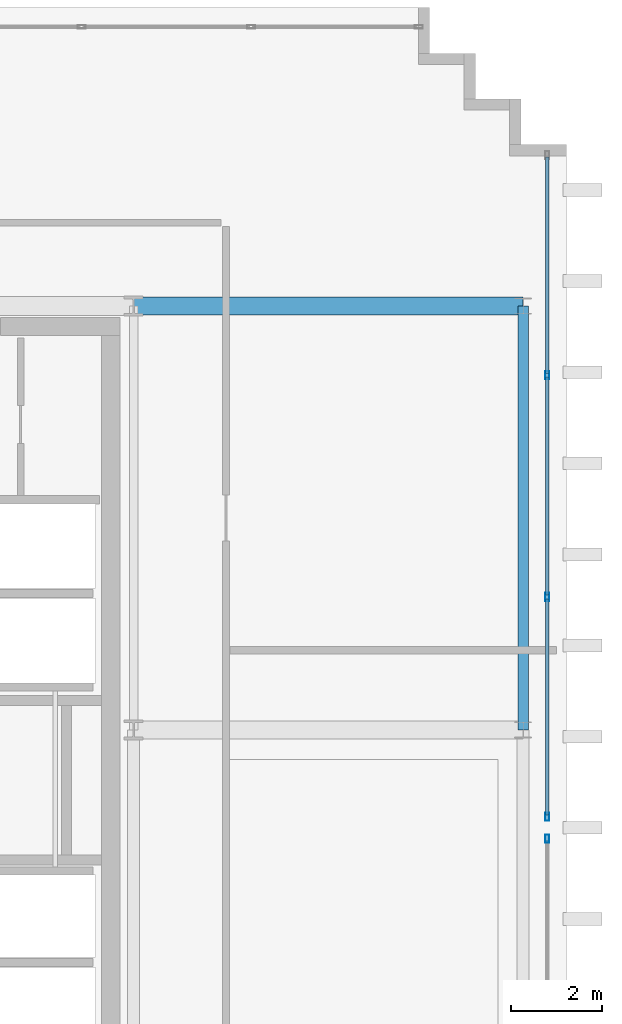
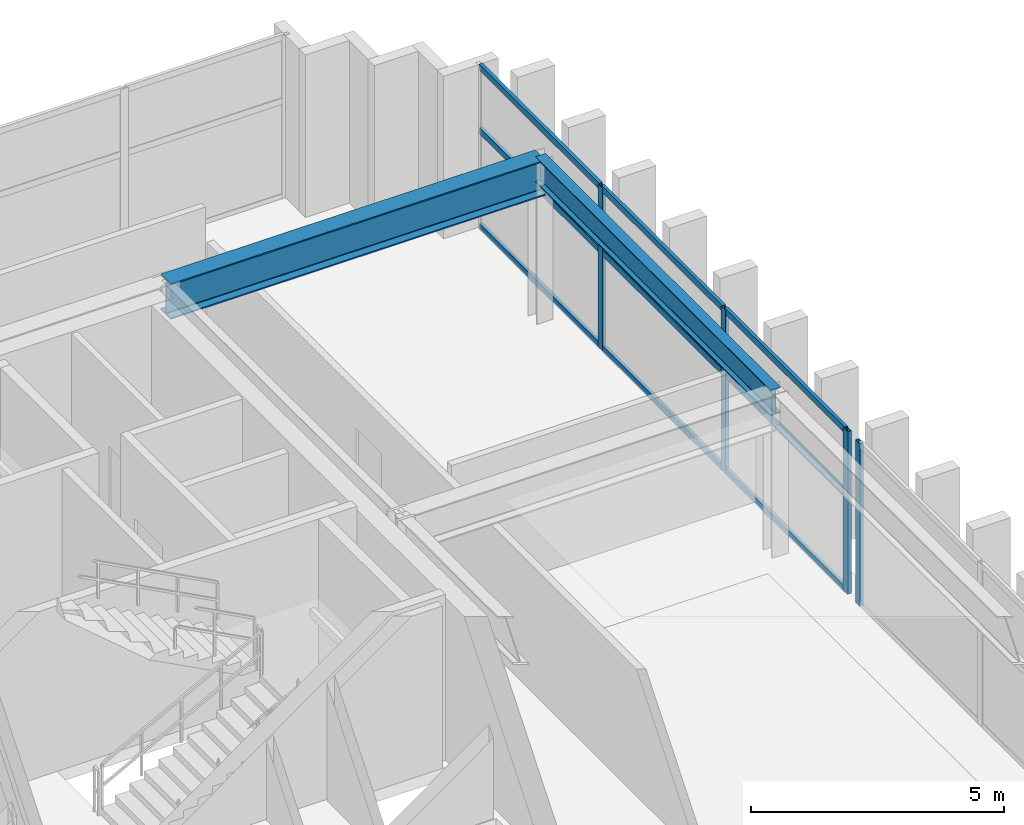
# One storey, part 7 of 14: 13 members, 2 beams, 2 elements without a shape of their own.
"""IFC4 building model written with IfcOpenShell, lengths in metres."""

from ifc_helpers import new_model, si_unit, direction, frame, origin, origin_2d, place, context, subcontext, project, spatial, hollow_rectangle, i_section, extrude, source, transform, mapped, material, layer, layer_set, material_profile, profile_set, type_object, element, aggregate, save


model = new_model("IFC4")

# Units and contexts
model_context = context("Model", 3, precision=1e-05, world=origin(), true_north=direction((0.0, 1.0)))
body_context = subcontext(model_context, "Body", "Model", "MODEL_VIEW")
ifc_project = project(units=[si_unit("LENGTHUNIT", "METRE"), si_unit("AREAUNIT", "SQUARE_METRE"), si_unit("VOLUMEUNIT", "CUBIC_METRE"), si_unit("PLANEANGLEUNIT", "RADIAN"), si_unit("MASSUNIT", "GRAM", prefix="KILO")], contexts=[model_context])

# Site, building, storey
site_placement = place(None, origin())
site = spatial("IfcSite", under=ifc_project, at=site_placement, CompositionType="ELEMENT")
building_placement = place(site_placement, origin())
building = spatial("IfcBuilding", under=site, at=building_placement, Name="Ocotamira Hotel", CompositionType="ELEMENT")
storey_placement = place(building_placement, frame((0.0, 0.0, 301.199951171875)))
storey = spatial("IfcBuildingStorey", under=building, at=storey_placement, Name="L77", CompositionType="ELEMENT", Elevation=301.199951171875)

# Beams
ifc_material_1 = material(Name="Steel ASTM A992 Grade 50", Category="steel")
ifc_material_profile_1 = material_profile(ifc_material_1, i_section(OverallWidth=0.22998046875, OverallDepth=0.616943359375, WebThickness=0.01318359375, FlangeThickness=0.022216796875, FilletRadius=0.012939453125, at=origin_2d()), Name="W24X94")
ifc_profile_set_1 = profile_set([ifc_material_profile_1], Name="Steel ASTM A992 Grade 50")
beam_type_1 = type_object("IfcBeamType", Name="BM-PRIM-W24X94", PredefinedType="BEAM", material=ifc_profile_set_1)
shared_shape_1 = source(origin(), body_context, "Body", "SweptSolid", [
    extrude(i_section(OverallWidth=0.22998046875, OverallDepth=0.616943359375, WebThickness=0.01318359375, FlangeThickness=0.022216796875, FilletRadius=0.012939453125, at=origin_2d()), origin(), (0.0, 0.0, 1.0), 9.300048828125),
])
beam_1_placement = place(storey_placement, frame((32.050048828125, 28.14990234375, 3.611572265625), z_axis=(0.0, 1.0, 0.0), x_axis=(-1.0, 0.0, 0.0)))
element("IfcBeam", 1, at=beam_1_placement, inside=storey, type_object=beam_type_1, Name="L77 Beam X32.05 Y28.15-37.45", PredefinedType="BEAM", context=body_context, shape_type="MappedRepresentation", body=[
    mapped(shared_shape_1, transform((0.0, 0.0, 0.0), scale=1.0)),
])
ifc_material_profile_2 = material_profile(ifc_material_1, i_section(OverallWidth=0.39990234375, OverallDepth=0.85595703125, WebThickness=0.018310546875, FlangeThickness=0.029296875, FilletRadius=0.02001953125, at=origin_2d()), Name="W33X201")
ifc_profile_set_2 = profile_set([ifc_material_profile_2], Name="Steel ASTM A992 Grade 50")
beam_type_2 = type_object("IfcBeamType", Name="BM-GIRD-W33X201", PredefinedType="BEAM", material=ifc_profile_set_2)
shared_shape_2 = source(origin(), body_context, "Body", "SweptSolid", [
    extrude(i_section(OverallWidth=0.39990234375, OverallDepth=0.85595703125, WebThickness=0.018310546875, FlangeThickness=0.029296875, FilletRadius=0.02001953125, at=origin_2d()), origin(), (0.0, 0.0, 1.0), 8.550048828125),
])
beam_2_placement = place(storey_placement, frame((23.5, 37.449951171875, 3.491943359375), z_axis=(1.0, 0.0, 0.0), x_axis=(0.0, 1.0, 0.0)))
element("IfcBeam", 2, at=beam_2_placement, inside=storey, type_object=beam_type_2, Name="L77 Girder Y37.45 X23.5-32.05", PredefinedType="BEAM", context=body_context, shape_type="MappedRepresentation", body=[
    mapped(shared_shape_2, transform((0.0, 0.0, 0.0), scale=1.0)),
])

# Curtain wall, members
ifc_material_2 = material(Name="Anodised pale-metal aluminium and solar glass", Category="aluminium")
ifc_layer = layer(ifc_material_2, 0.2099609375)
ifc_layer_set = layer_set([ifc_layer], Name="Anodised pale-metal aluminium and solar glass")
curtain_wall_type = type_object("IfcCurtainWallType", Name="CW-SYS7-PEAK", PredefinedType="NOTDEFINED", material=ifc_layer_set)
curtain_wall_1_placement = place(storey_placement, origin())
curtain_wall_1 = element("IfcCurtainWall", 3, at=curtain_wall_1_placement, inside=storey, type_object=curtain_wall_type, Name="L77 Curtain Wall CW-7 CW-L77-E2", PredefinedType="NOTDEFINED")
ifc_material_3 = material(Name="Anodised pale-metal aluminium 6063-T6", Category="aluminium")
ifc_material_profile_3 = material_profile(ifc_material_3, hollow_rectangle(XDim=0.074951171875, YDim=0.14990234375, WallThickness=0.006103515625, at=origin_2d()), Name="HSS150X75X6")
ifc_profile_set_3 = profile_set([ifc_material_profile_3], Name="Anodised pale-metal aluminium 6063-T6")
member_type_1 = type_object("IfcMemberType", Name="CWT-150X75", PredefinedType="USERDEFINED", material=ifc_profile_set_3)
shared_shape_3 = source(origin(), body_context, "Body", "SweptSolid", [
    extrude(hollow_rectangle(XDim=0.074951171875, YDim=0.14990234375, WallThickness=0.006103515625, at=origin_2d()), origin(), (0.0, 0.0, 1.0), 4.74658203125),
])
member_1_placement = place(storey_placement, frame((32.580078125, 26.280029296875, 0.03759765625), z_axis=(0.0, 1.0, 0.0), x_axis=(-1.0, 0.0, 0.0)))
member_1 = element("IfcMember", 4, at=member_1_placement, type_object=member_type_1, Name="CW-7 transom 1.1", ObjectType="TRANSOM", PredefinedType="USERDEFINED", context=body_context, shape_type="MappedRepresentation", body=[
    mapped(shared_shape_3, transform((0.0, 0.0, 0.0), scale=1.0)),
])
member_2_placement = place(storey_placement, frame((32.580078125, 26.280029296875, 2.35009765625), z_axis=(0.0, 1.0, 0.0), x_axis=(-1.0, 0.0, 0.0)))
member_2 = element("IfcMember", 5, at=member_2_placement, type_object=member_type_1, Name="CW-7 transom 1.2", ObjectType="TRANSOM", PredefinedType="USERDEFINED", context=body_context, shape_type="MappedRepresentation", body=[
    mapped(shared_shape_3, transform((0.0, 0.0, 0.0), scale=1.0)),
])
member_3_placement = place(storey_placement, frame((32.580078125, 26.280029296875, 3.882568359375), z_axis=(0.0, 1.0, 0.0), x_axis=(-1.0, 0.0, 0.0)))
member_3 = element("IfcMember", 6, at=member_3_placement, type_object=member_type_1, Name="CW-7 transom 1.3", ObjectType="TRANSOM", PredefinedType="USERDEFINED", context=body_context, shape_type="MappedRepresentation", body=[
    mapped(shared_shape_3, transform((0.0, 0.0, 0.0), scale=1.0)),
])
member_4_placement = place(storey_placement, frame((32.580078125, 35.973388671875, 0.03759765625), z_axis=(0.0, 1.0, 0.0), x_axis=(-1.0, 0.0, 0.0)))
member_4 = element("IfcMember", 7, at=member_4_placement, type_object=member_type_1, Name="CW-7 transom 3.1", ObjectType="TRANSOM", PredefinedType="USERDEFINED", context=body_context, shape_type="MappedRepresentation", body=[
    mapped(shared_shape_3, transform((0.0, 0.0, 0.0), scale=1.0)),
])
member_5_placement = place(storey_placement, frame((32.580078125, 35.973388671875, 2.35009765625), z_axis=(0.0, 1.0, 0.0), x_axis=(-1.0, 0.0, 0.0)))
member_5 = element("IfcMember", 8, at=member_5_placement, type_object=member_type_1, Name="CW-7 transom 3.2", ObjectType="TRANSOM", PredefinedType="USERDEFINED", context=body_context, shape_type="MappedRepresentation", body=[
    mapped(shared_shape_3, transform((0.0, 0.0, 0.0), scale=1.0)),
])
member_6_placement = place(storey_placement, frame((32.580078125, 35.973388671875, 3.882568359375), z_axis=(0.0, 1.0, 0.0), x_axis=(-1.0, 0.0, 0.0)))
member_6 = element("IfcMember", 9, at=member_6_placement, type_object=member_type_1, Name="CW-7 transom 3.3", ObjectType="TRANSOM", PredefinedType="USERDEFINED", context=body_context, shape_type="MappedRepresentation", body=[
    mapped(shared_shape_3, transform((0.0, 0.0, 0.0), scale=1.0)),
])
shared_shape_4 = source(origin(), body_context, "Body", "SweptSolid", [
    extrude(hollow_rectangle(XDim=0.074951171875, YDim=0.14990234375, WallThickness=0.006103515625, at=origin_2d()), origin(), (0.0, 0.0, 1.0), 4.78662109375),
])
member_7_placement = place(storey_placement, frame((32.580078125, 31.106689453125, 0.03759765625), z_axis=(0.0, 1.0, 0.0), x_axis=(-1.0, 0.0, 0.0)))
member_7 = element("IfcMember", 10, at=member_7_placement, type_object=member_type_1, Name="CW-7 transom 2.1", ObjectType="TRANSOM", PredefinedType="USERDEFINED", context=body_context, shape_type="MappedRepresentation", body=[
    mapped(shared_shape_4, transform((0.0, 0.0, 0.0), scale=1.0)),
])
member_8_placement = place(storey_placement, frame((32.580078125, 31.106689453125, 2.35009765625), z_axis=(0.0, 1.0, 0.0), x_axis=(-1.0, 0.0, 0.0)))
member_8 = element("IfcMember", 11, at=member_8_placement, type_object=member_type_1, Name="CW-7 transom 2.2", ObjectType="TRANSOM", PredefinedType="USERDEFINED", context=body_context, shape_type="MappedRepresentation", body=[
    mapped(shared_shape_4, transform((0.0, 0.0, 0.0), scale=1.0)),
])
member_9_placement = place(storey_placement, frame((32.580078125, 31.106689453125, 3.882568359375), z_axis=(0.0, 1.0, 0.0), x_axis=(-1.0, 0.0, 0.0)))
member_9 = element("IfcMember", 12, at=member_9_placement, type_object=member_type_1, Name="CW-7 transom 2.3", ObjectType="TRANSOM", PredefinedType="USERDEFINED", context=body_context, shape_type="MappedRepresentation", body=[
    mapped(shared_shape_4, transform((0.0, 0.0, 0.0), scale=1.0)),
])

# Curtain wall, member
curtain_wall_2_placement = place(storey_placement, origin())
curtain_wall_2 = element("IfcCurtainWall", 13, at=curtain_wall_2_placement, inside=storey, type_object=curtain_wall_type, Name="L77 Curtain Wall CW-7 CW-L77-E1", PredefinedType="NOTDEFINED")
ifc_material_profile_4 = material_profile(ifc_material_3, hollow_rectangle(XDim=0.080078125, YDim=0.179931640625, WallThickness=0.006103515625, at=origin_2d()), Name="HSS180X80X6")
ifc_profile_set_4 = profile_set([ifc_material_profile_4], Name="Anodised pale-metal aluminium 6063-T6")
member_type_2 = type_object("IfcMemberType", Name="CWM-180X75", PredefinedType="MULLION", material=ifc_profile_set_4)
shared_shape_5 = source(origin(), body_context, "Body", "SweptSolid", [
    extrude(hollow_rectangle(XDim=0.080078125, YDim=0.179931640625, WallThickness=0.006103515625, at=origin_2d()), origin(), (0.0, 0.0, 1.0), 3.920166015625),
])
member_10_placement = place(storey_placement, frame((32.580078125, 25.760009765625, 0.0), z_axis=(0.0, 0.0, 1.0), x_axis=(-1.0, 0.0, 0.0)))
member_10 = element("IfcMember", 14, at=member_10_placement, type_object=member_type_2, Name="CW-7 mullion 4", PredefinedType="MULLION", context=body_context, shape_type="MappedRepresentation", body=[
    mapped(shared_shape_5, transform((0.0, 0.0, 0.0), scale=1.0)),
])
aggregate(curtain_wall_2, [member_10])

# Member
member_11_placement = place(storey_placement, frame((32.580078125, 26.239990234375, 0.0), z_axis=(0.0, 0.0, 1.0), x_axis=(-1.0, 0.0, 0.0)))
member_11 = element("IfcMember", 15, at=member_11_placement, type_object=member_type_2, Name="CW-7 mullion 1", PredefinedType="MULLION", context=body_context, shape_type="MappedRepresentation", body=[
    mapped(shared_shape_5, transform((0.0, 0.0, 0.0), scale=1.0)),
])

member_12_placement = place(storey_placement, frame((32.580078125, 31.066650390625, 0.0), z_axis=(0.0, 0.0, 1.0), x_axis=(-1.0, 0.0, 0.0)))
member_12 = element("IfcMember", 16, at=member_12_placement, type_object=member_type_2, Name="CW-7 mullion 2", PredefinedType="MULLION", context=body_context, shape_type="MappedRepresentation", body=[
    mapped(shared_shape_5, transform((0.0, 0.0, 0.0), scale=1.0)),
])

member_13_placement = place(storey_placement, frame((32.580078125, 35.933349609375, 0.0), z_axis=(0.0, 0.0, 1.0), x_axis=(-1.0, 0.0, 0.0)))
member_13 = element("IfcMember", 17, at=member_13_placement, type_object=member_type_2, Name="CW-7 mullion 3", PredefinedType="MULLION", context=body_context, shape_type="MappedRepresentation", body=[
    mapped(shared_shape_5, transform((0.0, 0.0, 0.0), scale=1.0)),
])

aggregate(curtain_wall_1, [member_11, member_12, member_13, member_1, member_2, member_3, member_7, member_8, member_9, member_4, member_5, member_6])

save(model, "model.ifc")
